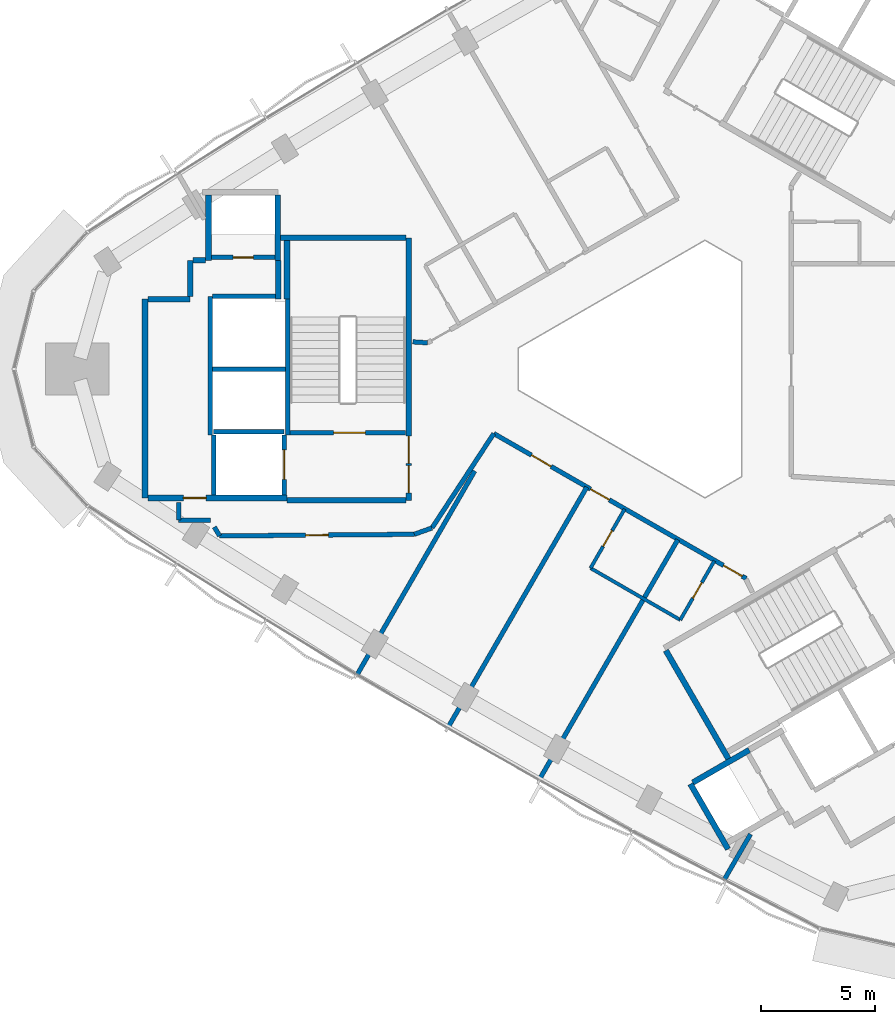
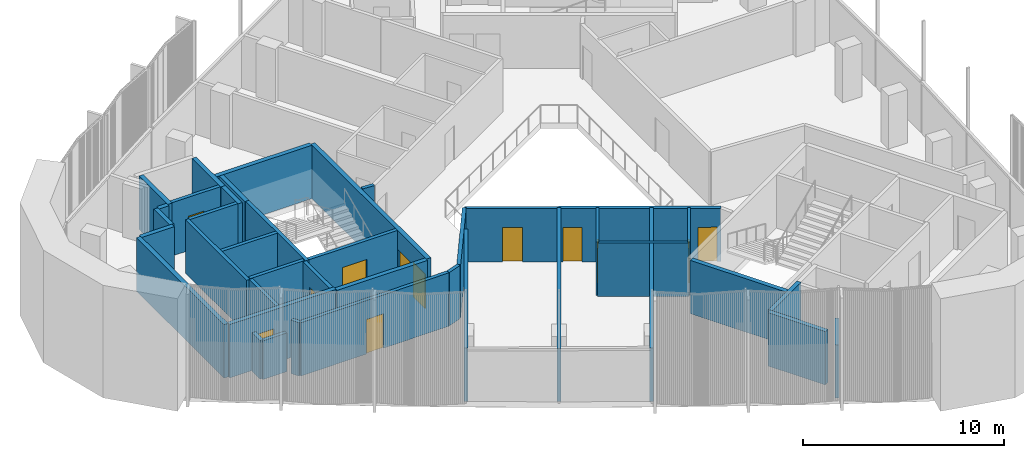
# One storey, part 8 of 14: 39 walls, 12 doors, 12 openings.
"""IFC4 building model written with IfcOpenShell, lengths in metres."""

from ifc_helpers import new_model, si_unit, direction, frame, frame_2d, origin, place, context, subcontext, project, spatial, rectangle, extrude, material, layer, layer_set, type_object, element, fill, save


model = new_model("IFC4")

# Units and contexts
model_context = context("Model", 3, precision=1e-05, world=origin(), true_north=direction((0.0, 1.0)))
body_context = subcontext(model_context, "Body", "Model", "MODEL_VIEW")
ifc_project = project(units=[si_unit("LENGTHUNIT", "METRE"), si_unit("AREAUNIT", "SQUARE_METRE"), si_unit("VOLUMEUNIT", "CUBIC_METRE"), si_unit("PLANEANGLEUNIT", "RADIAN"), si_unit("MASSUNIT", "GRAM", prefix="KILO")], contexts=[model_context])

# Site, building, storey
site_placement = place(None, origin())
site = spatial("IfcSite", under=ifc_project, at=site_placement, CompositionType="ELEMENT")
building_placement = place(site_placement, origin())
building = spatial("IfcBuilding", under=site, at=building_placement, Name="Tamra Quay Hotel Tower", CompositionType="ELEMENT")
storey_placement = place(building_placement, frame((0.0, 0.0, 221.39990234375)))
storey = spatial("IfcBuildingStorey", under=building, at=storey_placement, Name="L55", CompositionType="ELEMENT", Elevation=221.39990234375)

# Walls
ifc_material_1 = material(Name="Concrete M70", Category="concrete")
ifc_layer_1 = layer(ifc_material_1, 0.199951171875)
ifc_layer_set_1 = layer_set([ifc_layer_1], Name="Concrete M70 core wall 200")
wall_type_1 = type_object("IfcWallType", Name="Concrete M70 core wall 200", PredefinedType="SHEAR", material=ifc_layer_set_1)
wall_1_placement = place(storey_placement, frame((-16.162109375, 3.073974609375, 0.0), z_axis=(0.0, 0.0, 1.0), x_axis=(0.0, -1.0, 0.0)))
element("IfcWall", 1, at=wall_1_placement, inside=storey, type_object=wall_type_1, Name="CW2", PredefinedType="SHEAR", context=body_context, shape_type="SweptSolid", body=[
    extrude(rectangle(XDim=5.97412109375, YDim=0.199951171875, at=frame_2d((2.987060546875, 0.0))), origin(), (0.0, 0.0, 1.0), 3.25),
])
wall_2_placement = place(storey_placement, frame((-19.5625, -2.900146484375, 0.0), z_axis=(0.0, 0.0, 1.0), x_axis=(0.0, 1.0, 0.0)))
element("IfcWall", 2, at=wall_2_placement, inside=storey, type_object=wall_type_1, Name="CW2", PredefinedType="SHEAR", context=body_context, shape_type="SweptSolid", body=[
    extrude(rectangle(XDim=6.100341796875, YDim=0.199951171875, at=frame_2d((3.05029296875, 0.0))), origin(), (0.0, 0.0, 1.0), 3.25),
])

# Wall, opening, door
wall_3_placement = place(storey_placement, frame((-10.96337890625, -2.800048828125, 0.0), z_axis=(0.0, 0.0, 1.0), x_axis=(-1.0, 0.0, 0.0)))
wall_3 = element("IfcWall", 3, at=wall_3_placement, inside=storey, type_object=wall_type_1, Name="CW2", PredefinedType="SHEAR", context=body_context, shape_type="SweptSolid", body=[
    extrude(rectangle(XDim=5.097900390625, YDim=0.199951171875, at=frame_2d((2.548828125, 0.0))), origin(), (0.0, 0.0, 1.0), 3.25),
])
opening_1_placement = place(wall_3_placement, frame((1.77392578125, 0.0, 0.0)))
opening_1 = element("IfcOpeningElement", 4, at=opening_1_placement, cuts=wall_3, Name="Opening FD2", PredefinedType="OPENING", context=body_context, shape_type="SweptSolid", body=[
    extrude(rectangle(XDim=1.39990234375, YDim=2.10009765625, at=frame_2d((0.699951171875, 1.050048828125))), frame((0.0, 0.10986328125, 0.0), z_axis=(0.0, -1.0, 0.0), x_axis=(1.0, 0.0, 0.0)), (0.0, 0.0, 1.0), 0.219970703125),
])
ifc_material_2 = material(Name="Core door FD2 1400x2100 LH")
door_type_1 = type_object("IfcDoorType", Name="Core door FD2 1400x2100 LH", OperationType="NOTDEFINED", PredefinedType="DOOR", material=ifc_material_2)
door_1_placement = place(opening_1_placement, origin())
door_1 = element("IfcDoor", 5, at=door_1_placement, inside=storey, type_object=door_type_1, Name="FD2", OperationType="SINGLE_SWING_LEFT", OverallHeight=2.10009765625, OverallWidth=1.39990234375, PredefinedType="DOOR", context=body_context, shape_type="SweptSolid", body=[
    extrude(rectangle(XDim=1.39990234375, YDim=2.10009765625, at=frame_2d((0.699951171875, 1.050048828125))), frame((0.0, 0.02490234375, 0.0), z_axis=(0.0, -1.0, 0.0), x_axis=(1.0, 0.0, 0.0)), (0.0, 0.0, 1.0), 0.050048828125),
])
fill(opening_1, door_1)

# Wall
wall_4_placement = place(storey_placement, frame((-16.26318359375, 0.0, 0.0), z_axis=(0.0, 0.0, 1.0), x_axis=(-1.0, 0.0, 0.0)))
element("IfcWall", 6, at=wall_4_placement, inside=storey, type_object=wall_type_1, Name="CW2", PredefinedType="SHEAR", context=body_context, shape_type="SweptSolid", body=[
    extrude(rectangle(XDim=3.1982421875, YDim=0.199951171875, at=frame_2d((1.59912109375, 0.0))), origin(), (0.0, 0.0, 1.0), 3.25),
])

# Wall, opening, door
wall_5_placement = place(storey_placement, frame((-19.51123046875, 4.91015625, 0.0), z_axis=(0.0, 0.0, 1.0), x_axis=(1.0, 0.0, 0.0)))
wall_5 = element("IfcWall", 7, at=wall_5_placement, inside=storey, type_object=wall_type_1, Name="CW2", PredefinedType="SHEAR", context=body_context, shape_type="SweptSolid", body=[
    extrude(rectangle(XDim=2.7978515625, YDim=0.199951171875, at=frame_2d((1.39892578125, 0.0))), origin(), (0.0, 0.0, 1.0), 3.25),
])
opening_2_placement = place(wall_5_placement, frame((0.948974609375, 0.0, 0.0)))
opening_2 = element("IfcOpeningElement", 8, at=opening_2_placement, cuts=wall_5, Name="Opening D1", PredefinedType="OPENING", context=body_context, shape_type="SweptSolid", body=[
    extrude(rectangle(XDim=0.89990234375, YDim=2.10009765625, at=frame_2d((0.449951171875, 1.050048828125))), frame((0.0, 0.10986328125, 0.0), z_axis=(0.0, -1.0, 0.0), x_axis=(1.0, 0.0, 0.0)), (0.0, 0.0, 1.0), 0.219970703125),
])
ifc_material_3 = material(Name="Core door D1 900x2100 RH")
door_type_2 = type_object("IfcDoorType", Name="Core door D1 900x2100 RH", OperationType="NOTDEFINED", PredefinedType="DOOR", material=ifc_material_3)
door_2_placement = place(opening_2_placement, origin())
door_2 = element("IfcDoor", 9, at=door_2_placement, inside=storey, type_object=door_type_2, Name="D1", OperationType="SINGLE_SWING_RIGHT", OverallHeight=2.10009765625, OverallWidth=0.89990234375, PredefinedType="DOOR", context=body_context, shape_type="SweptSolid", body=[
    extrude(rectangle(XDim=0.89990234375, YDim=2.10009765625, at=frame_2d((0.449951171875, 1.050048828125))), frame((0.0, 0.02490234375, 0.0), z_axis=(0.0, -1.0, 0.0), x_axis=(1.0, 0.0, 0.0)), (0.0, 0.0, 1.0), 0.050048828125),
])
fill(opening_2, door_2)

# Walls
wall_6_placement = place(storey_placement, frame((-19.46240234375, 3.2001953125, 0.0), z_axis=(0.0, 0.0, 1.0), x_axis=(1.0, 0.0, 0.0)))
element("IfcWall", 10, at=wall_6_placement, inside=storey, type_object=wall_type_1, Name="CW2", PredefinedType="SHEAR", context=body_context, shape_type="SweptSolid", body=[
    extrude(rectangle(XDim=2.759033203125, YDim=0.199951171875, at=frame_2d((1.37939453125, 0.0))), origin(), (0.0, 0.0, 1.0), 3.25),
])
wall_7_placement = place(storey_placement, frame((-19.412353515625, -2.75, 0.0), z_axis=(0.0, 0.0, 1.0), x_axis=(1.0, 0.0, 0.0)))
element("IfcWall", 11, at=wall_7_placement, inside=storey, type_object=wall_type_1, Name="CW2", PredefinedType="SHEAR", context=body_context, shape_type="SweptSolid", body=[
    extrude(rectangle(XDim=3.10009765625, YDim=0.199951171875, at=frame_2d((1.550048828125, 0.0))), origin(), (0.0, 0.0, 1.0), 3.25),
])

# Wall, opening, door
wall_8_placement = place(storey_placement, frame((-16.312255859375, -2.898193359375, 0.0), z_axis=(0.0, 0.0, 1.0), x_axis=(0.0, -1.0, 0.0)))
wall_8 = element("IfcWall", 12, at=wall_8_placement, inside=storey, type_object=wall_type_1, Name="CW2", PredefinedType="SHEAR", context=body_context, shape_type="SweptSolid", body=[
    extrude(rectangle(XDim=2.65087890625, YDim=0.199951171875, at=frame_2d((1.325439453125, 0.0))), origin(), (0.0, 0.0, 1.0), 3.25),
])
opening_3_placement = place(wall_8_placement, frame((0.65185546875, 0.0, 0.0)))
opening_3 = element("IfcOpeningElement", 13, at=opening_3_placement, cuts=wall_8, Name="Opening LD", PredefinedType="OPENING", context=body_context, shape_type="SweptSolid", body=[
    extrude(rectangle(XDim=1.300048828125, YDim=2.10009765625, at=frame_2d((0.64990234375, 1.050048828125))), frame((0.0, 0.10986328125, 0.0), z_axis=(0.0, -1.0, 0.0), x_axis=(1.0, 0.0, 0.0)), (0.0, 0.0, 1.0), 0.219970703125),
])
ifc_material_4 = material(Name="Landing door LD 1300 sliding to left")
door_type_3 = type_object("IfcDoorType", Name="Landing door LD 1300 sliding to left", OperationType="NOTDEFINED", PredefinedType="DOOR", material=ifc_material_4)
door_3_placement = place(opening_3_placement, origin())
door_3 = element("IfcDoor", 14, at=door_3_placement, inside=storey, type_object=door_type_3, Name="LD", OperationType="SLIDING_TO_LEFT", OverallHeight=2.10009765625, OverallWidth=1.300048828125, PredefinedType="DOOR", context=body_context, shape_type="SweptSolid", body=[
    extrude(rectangle(XDim=1.300048828125, YDim=2.10009765625, at=frame_2d((0.64990234375, 1.050048828125))), frame((0.0, 0.02490234375, 0.0), z_axis=(0.0, -1.0, 0.0), x_axis=(1.0, 0.0, 0.0)), (0.0, 0.0, 1.0), 0.050048828125),
])
fill(opening_3, door_3)

# Wall
wall_9_placement = place(storey_placement, frame((-19.412353515625, -5.549072265625, 0.0), z_axis=(0.0, 0.0, 1.0), x_axis=(0.0, 1.0, 0.0)))
element("IfcWall", 15, at=wall_9_placement, inside=storey, type_object=wall_type_1, Name="CW2", PredefinedType="SHEAR", context=body_context, shape_type="SweptSolid", body=[
    extrude(rectangle(XDim=2.65087890625, YDim=0.199951171875, at=frame_2d((1.325439453125, 0.0))), origin(), (0.0, 0.0, 1.0), 3.25),
])

# Wall, openings, doors
ifc_layer_2 = layer(ifc_material_1, 0.25)
ifc_layer_set_2 = layer_set([ifc_layer_2], Name="Concrete M70 core wall 250")
wall_type_2 = type_object("IfcWallType", Name="Concrete M70 core wall 250", PredefinedType="SHEAR", material=ifc_layer_set_2)
wall_10_placement = place(storey_placement, frame((-10.83740234375, 5.77490234375, 0.0), z_axis=(0.0, 0.0, 1.0), x_axis=(0.0, -1.0, 0.0)))
wall_10 = element("IfcWall", 16, at=wall_10_placement, inside=storey, type_object=wall_type_2, Name="CW1", PredefinedType="SHEAR", context=body_context, shape_type="SweptSolid", body=[
    extrude(rectangle(XDim=11.5498046875, YDim=0.25, at=frame_2d((5.77490234375, 0.0))), origin(), (0.0, 0.0, 1.0), 3.25),
])
opening_4_placement = place(wall_10_placement, frame((10.02490234375, 0.0, 0.0)))
opening_4 = element("IfcOpeningElement", 17, at=opening_4_placement, cuts=wall_10, Name="Opening FD1", PredefinedType="OPENING", context=body_context, shape_type="SweptSolid", body=[
    extrude(rectangle(XDim=1.199951171875, YDim=2.10009765625, at=frame_2d((0.60009765625, 1.050048828125))), frame((0.0, 0.135009765625, 0.0), z_axis=(0.0, -1.0, 0.0), x_axis=(1.0, 0.0, 0.0)), (0.0, 0.0, 1.0), 0.27001953125),
])
opening_5_placement = place(wall_10_placement, frame((8.72509765625, 0.0, 0.0)))
opening_5 = element("IfcOpeningElement", 18, at=opening_5_placement, cuts=wall_10, Name="Opening FD1", PredefinedType="OPENING", context=body_context, shape_type="SweptSolid", body=[
    extrude(rectangle(XDim=1.199951171875, YDim=2.10009765625, at=frame_2d((0.60009765625, 1.050048828125))), frame((0.0, 0.135009765625, 0.0), z_axis=(0.0, -1.0, 0.0), x_axis=(1.0, 0.0, 0.0)), (0.0, 0.0, 1.0), 0.27001953125),
])
ifc_material_5 = material(Name="Core door FD1 1200x2100 LH")
door_type_4 = type_object("IfcDoorType", Name="Core door FD1 1200x2100 LH", OperationType="NOTDEFINED", PredefinedType="DOOR", material=ifc_material_5)
door_4_placement = place(opening_4_placement, origin())
door_4 = element("IfcDoor", 19, at=door_4_placement, inside=storey, type_object=door_type_4, Name="FD1", OperationType="SINGLE_SWING_LEFT", OverallHeight=2.10009765625, OverallWidth=1.199951171875, PredefinedType="DOOR", context=body_context, shape_type="SweptSolid", body=[
    extrude(rectangle(XDim=1.199951171875, YDim=2.10009765625, at=frame_2d((0.60009765625, 1.050048828125))), frame((0.0, 0.02490234375, 0.0), z_axis=(0.0, -1.0, 0.0), x_axis=(1.0, 0.0, 0.0)), (0.0, 0.0, 1.0), 0.050048828125),
])
fill(opening_4, door_4)
ifc_material_6 = material(Name="Core door FD1 1200x2100 RH")
door_type_5 = type_object("IfcDoorType", Name="Core door FD1 1200x2100 RH", OperationType="NOTDEFINED", PredefinedType="DOOR", material=ifc_material_6)
door_5_placement = place(opening_5_placement, origin())
door_5 = element("IfcDoor", 20, at=door_5_placement, inside=storey, type_object=door_type_5, Name="FD1", OperationType="SINGLE_SWING_RIGHT", OverallHeight=2.10009765625, OverallWidth=1.199951171875, PredefinedType="DOOR", context=body_context, shape_type="SweptSolid", body=[
    extrude(rectangle(XDim=1.199951171875, YDim=2.10009765625, at=frame_2d((0.60009765625, 1.050048828125))), frame((0.0, 0.02490234375, 0.0), z_axis=(0.0, -1.0, 0.0), x_axis=(1.0, 0.0, 0.0)), (0.0, 0.0, 1.0), 0.050048828125),
])
fill(opening_5, door_5)

# Wall
wall_11_placement = place(storey_placement, frame((-22.437255859375, -5.675048828125, 0.0), z_axis=(0.0, 0.0, 1.0), x_axis=(0.0, 1.0, 0.0)))
element("IfcWall", 21, at=wall_11_placement, inside=storey, type_object=wall_type_2, Name="CW1", PredefinedType="SHEAR", context=body_context, shape_type="SweptSolid", body=[
    extrude(rectangle(XDim=8.75, YDim=0.25, at=frame_2d((4.375, 0.0))), origin(), (0.0, 0.0, 1.0), 3.25),
])

# Wall, opening, door
wall_12_placement = place(storey_placement, frame((-16.187255859375, -5.675048828125, 0.0), z_axis=(0.0, 0.0, 1.0), x_axis=(-1.0, 0.0, 0.0)))
wall_12 = element("IfcWall", 22, at=wall_12_placement, inside=storey, type_object=wall_type_2, Name="CW1", PredefinedType="SHEAR", context=body_context, shape_type="SweptSolid", body=[
    extrude(rectangle(XDim=6.12451171875, YDim=0.25, at=frame_2d((3.062255859375, 0.0))), origin(), (0.0, 0.0, 1.0), 3.25),
])
opening_6_placement = place(wall_12_placement, frame((3.562744140625, 0.0, 0.0)))
opening_6 = element("IfcOpeningElement", 23, at=opening_6_placement, cuts=wall_12, Name="Opening FD3", PredefinedType="OPENING", context=body_context, shape_type="SweptSolid", body=[
    extrude(rectangle(XDim=1.0, YDim=2.10009765625, at=frame_2d((0.5, 1.050048828125))), frame((0.0, 0.135009765625, 0.0), z_axis=(0.0, -1.0, 0.0), x_axis=(1.0, 0.0, 0.0)), (0.0, 0.0, 1.0), 0.27001953125),
])
ifc_material_7 = material(Name="Core door FD3 1000x2100 LH")
door_type_6 = type_object("IfcDoorType", Name="Core door FD3 1000x2100 LH", OperationType="NOTDEFINED", PredefinedType="DOOR", material=ifc_material_7)
door_6_placement = place(opening_6_placement, origin())
door_6 = element("IfcDoor", 24, at=door_6_placement, inside=storey, type_object=door_type_6, Name="FD3", OperationType="SINGLE_SWING_LEFT", OverallHeight=2.10009765625, OverallWidth=1.0, PredefinedType="DOOR", context=body_context, shape_type="SweptSolid", body=[
    extrude(rectangle(XDim=1.0, YDim=2.10009765625, at=frame_2d((0.5, 1.050048828125))), frame((0.0, 0.02490234375, 0.0), z_axis=(0.0, -1.0, 0.0), x_axis=(1.0, 0.0, 0.0)), (0.0, 0.0, 1.0), 0.050048828125),
])
fill(opening_6, door_6)

# Walls
wall_13_placement = place(storey_placement, frame((-10.962646484375, -5.77490234375, 0.0), z_axis=(0.0, 0.0, 1.0), x_axis=(-1.0, 0.0, 0.0)))
element("IfcWall", 25, at=wall_13_placement, inside=storey, type_object=wall_type_2, Name="CW1", PredefinedType="SHEAR", context=body_context, shape_type="SweptSolid", body=[
    extrude(rectangle(XDim=5.224609375, YDim=0.25, at=frame_2d((2.6123046875, 0.0))), origin(), (0.0, 0.0, 1.0), 3.25),
])
wall_14_placement = place(storey_placement, frame((-16.47216796875, 5.77490234375, 0.0), z_axis=(0.0, 0.0, 1.0), x_axis=(1.0, 0.0, 0.0)))
element("IfcWall", 26, at=wall_14_placement, inside=storey, type_object=wall_type_2, Name="CW1", PredefinedType="SHEAR", context=body_context, shape_type="SweptSolid", body=[
    extrude(rectangle(XDim=5.509521484375, YDim=0.25, at=frame_2d((2.7548828125, 0.0))), origin(), (0.0, 0.0, 1.0), 3.25),
])
for number, where, z_axis, x_axis, name in (
    (27, (-16.58740234375, 7.649658203125, 0.0), (0.0, 0.0, 1.0), (0.0, -1.0, 0.0), "CW1"),
    (28, (-19.63720703125, 4.784912109375, 0.0), (0.0, 0.0, 1.0), (0.0, 1.0, 0.0), "CW1"),
):
    element("IfcWall", number, at=place(storey_placement, frame(where, z_axis=z_axis, x_axis=x_axis)), inside=storey, type_object=wall_type_2, Name=name, PredefinedType="SHEAR", context=body_context, shape_type="SweptSolid", body=[
        extrude(rectangle(XDim=2.86474609375, YDim=0.25, at=frame_2d((1.432373046875, 0.0))), origin(), (0.0, 0.0, 1.0), 3.25),
    ])
wall_15_placement = place(storey_placement, frame((-16.187255859375, 3.074951171875, 0.0), z_axis=(0.0, 0.0, 1.0), x_axis=(0.0, 1.0, 0.0)))
element("IfcWall", 29, at=wall_15_placement, inside=storey, type_object=wall_type_2, Name="CW1", PredefinedType="SHEAR", context=body_context, shape_type="SweptSolid", body=[
    extrude(rectangle(XDim=2.57470703125, YDim=0.25, at=frame_2d((1.287353515625, 0.0))), origin(), (0.0, 0.0, 1.0), 3.25),
])
wall_16_placement = place(storey_placement, frame((-22.311767578125, 3.074951171875, 0.0), z_axis=(0.0, 0.0, 1.0), x_axis=(1.0, 0.0, 0.0)))
element("IfcWall", 30, at=wall_16_placement, inside=storey, type_object=wall_type_2, Name="CW1", PredefinedType="SHEAR", context=body_context, shape_type="SweptSolid", body=[
    extrude(rectangle(XDim=1.864501953125, YDim=0.25, at=frame_2d((0.93212890625, 0.0))), origin(), (0.0, 0.0, 1.0), 3.25),
])
wall_17_placement = place(storey_placement, frame((-16.577392578125, 4.784912109375, 0.0), z_axis=(0.0, 0.0, 1.0), x_axis=(0.0, -1.0, 0.0)))
element("IfcWall", 31, at=wall_17_placement, inside=storey, type_object=wall_type_2, Name="CW1", PredefinedType="SHEAR", context=body_context, shape_type="SweptSolid", body=[
    extrude(rectangle(XDim=1.7099609375, YDim=0.25, at=frame_2d((0.85498046875, 0.0))), origin(), (0.0, 0.0, 1.0), 3.25),
])
wall_18_placement = place(storey_placement, frame((-20.447265625, 3.200439453125, 0.0), z_axis=(0.0, 0.0, 1.0), x_axis=(0.0, 1.0, 0.0)))
element("IfcWall", 32, at=wall_18_placement, inside=storey, type_object=wall_type_2, Name="CW1", PredefinedType="SHEAR", context=body_context, shape_type="SweptSolid", body=[
    extrude(rectangle(XDim=1.58447265625, YDim=0.25, at=frame_2d((0.792236328125, 0.0))), origin(), (0.0, 0.0, 1.0), 3.25),
])
wall_19_placement = place(storey_placement, frame((-20.32177734375, 4.784912109375, 0.0), z_axis=(0.0, 0.0, 1.0), x_axis=(1.0, 0.0, 0.0)))
element("IfcWall", 33, at=wall_19_placement, inside=storey, type_object=wall_type_2, Name="CW1", PredefinedType="SHEAR", context=body_context, shape_type="SweptSolid", body=[
    extrude(rectangle(XDim=0.55908203125, YDim=0.25, at=frame_2d((0.279541015625, 0.0))), origin(), (0.0, 0.0, 1.0), 3.25),
])
wall_20_placement = place(storey_placement, frame((3.23486328125, -17.15283203125, 0.0), z_axis=(0.0, 0.0, 1.0), x_axis=(-0.500008851346, 0.866020293397, 0.0)))
element("IfcWall", 34, at=wall_20_placement, inside=storey, type_object=wall_type_2, Name="CW1", PredefinedType="SHEAR", context=body_context, shape_type="SweptSolid", body=[
    extrude(rectangle(XDim=5.509765625, YDim=0.25, at=frame_2d((2.7548828125, 0.0))), origin(), (0.0, 0.0, 1.0), 3.25),
])
wall_21_placement = place(storey_placement, frame((3.216796875, -21.12158203125, 0.0), z_axis=(0.0, 0.0, 1.0), x_axis=(-0.499998874531, 0.866026053573, 0.0)))
element("IfcWall", 35, at=wall_21_placement, inside=storey, type_object=wall_type_2, Name="CW1", PredefinedType="SHEAR", context=body_context, shape_type="SweptSolid", body=[
    extrude(rectangle(XDim=3.31298828125, YDim=0.25, at=frame_2d((1.656494140625, 0.0))), origin(), (0.0, 0.0, 1.0), 3.25),
])
wall_22_placement = place(storey_placement, frame((1.6689453125, -18.189697265625, 0.0), z_axis=(0.0, 0.0, 1.0), x_axis=(0.866042235819, 0.499970844928, 0.0)))
element("IfcWall", 36, at=wall_22_placement, inside=storey, type_object=wall_type_2, Name="CW1", PredefinedType="SHEAR", context=body_context, shape_type="SweptSolid", body=[
    extrude(rectangle(XDim=2.864501953125, YDim=0.25, at=frame_2d((1.43212890625, 0.0))), origin(), (0.0, 0.0, 1.0), 3.25),
])
ifc_material_8 = material(Name="Partition corridor wall")
ifc_layer_3 = layer(ifc_material_8, 0.199951171875)
ifc_layer_set_3 = layer_set([ifc_layer_3], Name="Partition corridor wall")
wall_type_3 = type_object("IfcWallType", Name="Partition corridor wall", PredefinedType="PARTITIONING", material=ifc_layer_set_3)
wall_23_placement = place(storey_placement, frame((-20.949951171875, -6.64990234375, 0.0), z_axis=(0.0, 0.0, 1.0), x_axis=(0.0, 1.0, 0.0)))
element("IfcWall", 37, at=wall_23_placement, inside=storey, type_object=wall_type_3, Name="W-C", PredefinedType="PARTITIONING", context=body_context, shape_type="SweptSolid", body=[
    extrude(rectangle(XDim=0.789794921875, YDim=0.199951171875, at=frame_2d((0.39501953125, 0.0))), origin(), (0.0, 0.0, 1.0), 2.35009765625),
])
wall_24_placement = place(storey_placement, frame((-20.949951171875, -6.64990234375, 0.0), z_axis=(0.0, 0.0, 1.0), x_axis=(1.0, 0.0, 0.0)))
element("IfcWall", 38, at=wall_24_placement, inside=storey, type_object=wall_type_3, Name="W-C", PredefinedType="PARTITIONING", context=body_context, shape_type="SweptSolid", body=[
    extrude(rectangle(XDim=1.386962890625, YDim=0.199951171875, at=frame_2d((0.693359375, 0.0))), origin(), (0.0, 0.0, 1.0), 2.35009765625),
])
wall_25_placement = place(storey_placement, frame((-19.14990234375, -7.339111328125, 0.0), z_axis=(0.0, 0.0, 1.0), x_axis=(-0.513941661048, 0.857825138964, 0.0)))
element("IfcWall", 39, at=wall_25_placement, inside=storey, type_object=wall_type_3, Name="W-C", PredefinedType="PARTITIONING", context=body_context, shape_type="SweptSolid", body=[
    extrude(rectangle(XDim=0.45361328125, YDim=0.199951171875, at=frame_2d((0.226806640625, 0.0))), origin(), (0.0, 0.0, 1.0), 3.25),
])

# Wall, opening, door
wall_26_placement = place(storey_placement, frame((-19.14990234375, -7.341064453125, 0.0), z_axis=(0.0, 0.0, 1.0), x_axis=(0.999964623126, 0.008411450351, 0.0)))
wall_26 = element("IfcWall", 40, at=wall_26_placement, inside=storey, type_object=wall_type_3, Name="W-C", PredefinedType="PARTITIONING", context=body_context, shape_type="SweptSolid", body=[
    extrude(rectangle(XDim=8.562255859375, YDim=0.199951171875, at=frame_2d((4.28125, 0.0))), origin(), (0.0, 0.0, 1.0), 3.25),
])
opening_7_placement = place(wall_26_placement, frame((3.78125, 0.0, 0.0)))
opening_7 = element("IfcOpeningElement", 41, at=opening_7_placement, cuts=wall_26, Name="Opening L55-D009", PredefinedType="OPENING", context=body_context, shape_type="SweptSolid", body=[
    extrude(rectangle(XDim=1.0, YDim=2.10009765625, at=frame_2d((0.5, 1.050048828125))), frame((0.0, 0.10986328125, 0.0), z_axis=(0.0, -1.0, 0.0), x_axis=(1.0, 0.0, 0.0)), (0.0, 0.0, 1.0), 0.219970703125),
])
ifc_material_9 = material(Name="Door guest room 1000x2100")
door_type_7 = type_object("IfcDoorType", Name="Door guest room 1000x2100", OperationType="NOTDEFINED", PredefinedType="DOOR", material=ifc_material_9)
door_7_placement = place(opening_7_placement, origin())
door_7 = element("IfcDoor", 42, at=door_7_placement, inside=storey, type_object=door_type_7, Name="L55-D009", OperationType="SINGLE_SWING_LEFT", OverallHeight=2.10009765625, OverallWidth=1.0, PredefinedType="DOOR", context=body_context, shape_type="SweptSolid", body=[
    extrude(rectangle(XDim=1.0, YDim=2.10009765625, at=frame_2d((0.5, 1.050048828125))), frame((0.0, 0.02490234375, 0.0), z_axis=(0.0, -1.0, 0.0), x_axis=(1.0, 0.0, 0.0)), (0.0, 0.0, 1.0), 0.050048828125),
])
fill(opening_7, door_7)

# Walls
wall_27_placement = place(storey_placement, frame((-10.65234375, 1.1962890625, 0.0), z_axis=(0.0, 0.0, 1.0), x_axis=(0.998005794618, -0.063122372489, 0.0)))
element("IfcWall", 43, at=wall_27_placement, inside=storey, type_object=wall_type_3, Name="W-C", PredefinedType="PARTITIONING", context=body_context, shape_type="SweptSolid", body=[
    extrude(rectangle(XDim=0.653564453125, YDim=0.199951171875, at=frame_2d((0.32666015625, 0.0))), origin(), (0.0, 0.0, 1.0), 3.25),
])
wall_28_placement = place(storey_placement, frame((-10.587890625, -7.26904296875, 0.0), z_axis=(0.0, 0.0, 1.0), x_axis=(0.941741911595, 0.336336396998, 0.0)))
element("IfcWall", 44, at=wall_28_placement, inside=storey, type_object=wall_type_3, Name="W-C", PredefinedType="PARTITIONING", context=body_context, shape_type="SweptSolid", body=[
    extrude(rectangle(XDim=0.823974609375, YDim=0.199951171875, at=frame_2d((0.412109375, 0.0))), origin(), (0.0, 0.0, 1.0), 3.25),
])
wall_29_placement = place(storey_placement, frame((-9.80810546875, -6.989013671875, 0.0), z_axis=(0.0, 0.0, 1.0), x_axis=(0.547746188785, 0.836644555753, 0.0)))
element("IfcWall", 45, at=wall_29_placement, inside=storey, type_object=wall_type_3, Name="W-C", PredefinedType="PARTITIONING", context=body_context, shape_type="SweptSolid", body=[
    extrude(rectangle(XDim=4.9638671875, YDim=0.199951171875, at=frame_2d((2.48193359375, 0.0))), origin(), (0.0, 0.0, 1.0), 3.25),
])

# Wall, openings, doors
wall_30_placement = place(storey_placement, frame((-7.089111328125, -2.8359375, 0.0), z_axis=(0.0, 0.0, 1.0), x_axis=(0.867106243364, -0.498123240493, 0.0)))
wall_30 = element("IfcWall", 46, at=wall_30_placement, inside=storey, type_object=wall_type_3, Name="W-C", PredefinedType="PARTITIONING", context=body_context, shape_type="SweptSolid", body=[
    extrude(rectangle(XDim=12.804443359375, YDim=0.199951171875, at=frame_2d((6.40234375, 0.0))), origin(), (0.0, 0.0, 1.0), 3.25),
])
opening_8_placement = place(wall_30_placement, frame((1.9091796875, 0.0, 0.0)))
opening_8 = element("IfcOpeningElement", 47, at=opening_8_placement, cuts=wall_30, Name="Opening L55-D010", PredefinedType="OPENING", context=body_context, shape_type="SweptSolid", body=[
    extrude(rectangle(XDim=1.0, YDim=2.10009765625, at=frame_2d((0.5, 1.050048828125))), frame((0.0, 0.10986328125, 0.0), z_axis=(0.0, -1.0, 0.0), x_axis=(1.0, 0.0, 0.0)), (0.0, 0.0, 1.0), 0.219970703125),
])
opening_9_placement = place(wall_30_placement, frame((4.909912109375, 0.0, 0.0)))
opening_9 = element("IfcOpeningElement", 48, at=opening_9_placement, cuts=wall_30, Name="Opening L55-D011", PredefinedType="OPENING", context=body_context, shape_type="SweptSolid", body=[
    extrude(rectangle(XDim=0.949951171875, YDim=2.10009765625, at=frame_2d((0.47509765625, 1.050048828125))), frame((0.0, 0.10986328125, 0.0), z_axis=(0.0, -1.0, 0.0), x_axis=(1.0, 0.0, 0.0)), (0.0, 0.0, 1.0), 0.219970703125),
])
opening_10_placement = place(wall_30_placement, frame((11.654296875, 0.0, 0.0)))
opening_10 = element("IfcOpeningElement", 49, at=opening_10_placement, cuts=wall_30, Name="Opening L55-D013", PredefinedType="OPENING", context=body_context, shape_type="SweptSolid", body=[
    extrude(rectangle(XDim=0.949951171875, YDim=2.10009765625, at=frame_2d((0.47509765625, 1.050048828125))), frame((0.0, 0.10986328125, 0.0), z_axis=(0.0, -1.0, 0.0), x_axis=(1.0, 0.0, 0.0)), (0.0, 0.0, 1.0), 0.219970703125),
])
door_8_placement = place(opening_8_placement, frame((1.0, 0.0, 0.0), z_axis=(0.0, 0.0, 1.0), x_axis=(-1.0, 0.0, 0.0)))
door_8 = element("IfcDoor", 50, at=door_8_placement, inside=storey, type_object=door_type_7, Name="L55-D010", OperationType="SINGLE_SWING_LEFT", OverallHeight=2.10009765625, OverallWidth=1.0, PredefinedType="DOOR", context=body_context, shape_type="SweptSolid", body=[
    extrude(rectangle(XDim=1.0, YDim=2.10009765625, at=frame_2d((0.5, 1.050048828125))), frame((0.0, 0.02490234375, 0.0), z_axis=(0.0, -1.0, 0.0), x_axis=(1.0, 0.0, 0.0)), (0.0, 0.0, 1.0), 0.050048828125),
])
fill(opening_8, door_8)
ifc_material_10 = material(Name="Door guest room 950x2100")
door_type_8 = type_object("IfcDoorType", Name="Door guest room 950x2100", OperationType="NOTDEFINED", PredefinedType="DOOR", material=ifc_material_10)
door_9_placement = place(opening_9_placement, frame((0.949951171875, 0.0, 0.0), z_axis=(0.0, 0.0, 1.0), x_axis=(-1.0, 0.0, 0.0)))
door_9 = element("IfcDoor", 51, at=door_9_placement, inside=storey, type_object=door_type_8, Name="L55-D011", OperationType="SINGLE_SWING_LEFT", OverallHeight=2.10009765625, OverallWidth=0.949951171875, PredefinedType="DOOR", context=body_context, shape_type="SweptSolid", body=[
    extrude(rectangle(XDim=0.949951171875, YDim=2.10009765625, at=frame_2d((0.47509765625, 1.050048828125))), frame((0.0, 0.02490234375, 0.0), z_axis=(0.0, -1.0, 0.0), x_axis=(1.0, 0.0, 0.0)), (0.0, 0.0, 1.0), 0.050048828125),
])
fill(opening_9, door_9)
door_10_placement = place(opening_10_placement, frame((0.949951171875, 0.0, 0.0), z_axis=(0.0, 0.0, 1.0), x_axis=(-1.0, 0.0, 0.0)))
door_10 = element("IfcDoor", 52, at=door_10_placement, inside=storey, type_object=door_type_8, Name="L55-D013", OperationType="SINGLE_SWING_LEFT", OverallHeight=2.10009765625, OverallWidth=0.949951171875, PredefinedType="DOOR", context=body_context, shape_type="SweptSolid", body=[
    extrude(rectangle(XDim=0.949951171875, YDim=2.10009765625, at=frame_2d((0.47509765625, 1.050048828125))), frame((0.0, 0.02490234375, 0.0), z_axis=(0.0, -1.0, 0.0), x_axis=(1.0, 0.0, 0.0)), (0.0, 0.0, 1.0), 0.050048828125),
])
fill(opening_10, door_10)

# Wall, opening, door
ifc_material_11 = material(Name="Partition en-suite wall")
ifc_layer_4 = layer(ifc_material_11, 0.14990234375)
ifc_layer_set_4 = layer_set([ifc_layer_4], Name="Partition en-suite wall")
wall_type_4 = type_object("IfcWallType", Name="Partition en-suite wall", PredefinedType="PARTITIONING", material=ifc_layer_set_4)
wall_31_placement = place(storey_placement, frame((-2.8330078125, -8.757080078125, 0.0), z_axis=(0.0, 0.0, 1.0), x_axis=(0.499990139034, 0.866031096941, 0.0)))
wall_31 = element("IfcWall", 53, at=wall_31_placement, inside=storey, type_object=wall_type_4, Name="W-E", PredefinedType="PARTITIONING", context=body_context, shape_type="SweptSolid", body=[
    extrude(rectangle(XDim=3.0, YDim=0.14990234375, at=frame_2d((1.5, 0.0))), origin(), (0.0, 0.0, 1.0), 3.25),
])
opening_11_placement = place(wall_31_placement, frame((1.10009765625, 0.0, 0.0)))
opening_11 = element("IfcOpeningElement", 54, at=opening_11_placement, cuts=wall_31, Name="Opening L55-D012", PredefinedType="OPENING", context=body_context, shape_type="SweptSolid", body=[
    extrude(rectangle(XDim=0.800048828125, YDim=2.10009765625, at=frame_2d((0.39990234375, 1.050048828125))), frame((0.0, 0.0849609375, 0.0), z_axis=(0.0, -1.0, 0.0), x_axis=(1.0, 0.0, 0.0)), (0.0, 0.0, 1.0), 0.169921875),
])
ifc_material_12 = material(Name="Door en-suite 800x2100")
door_type_9 = type_object("IfcDoorType", Name="Door en-suite 800x2100", OperationType="NOTDEFINED", PredefinedType="DOOR", material=ifc_material_12)
door_11_placement = place(opening_11_placement, frame((0.800048828125, 0.0, 0.0), z_axis=(0.0, 0.0, 1.0), x_axis=(-1.0, 0.0, 0.0)))
door_11 = element("IfcDoor", 55, at=door_11_placement, inside=storey, type_object=door_type_9, Name="L55-D012", OperationType="SINGLE_SWING_LEFT", OverallHeight=2.10009765625, OverallWidth=0.800048828125, PredefinedType="DOOR", context=body_context, shape_type="SweptSolid", body=[
    extrude(rectangle(XDim=0.800048828125, YDim=2.10009765625, at=frame_2d((0.39990234375, 1.050048828125))), frame((0.0, 0.02490234375, 0.0), z_axis=(0.0, -1.0, 0.0), x_axis=(1.0, 0.0, 0.0)), (0.0, 0.0, 1.0), 0.050048828125),
])
fill(opening_11, door_11)

# Wall
wall_32_placement = place(storey_placement, frame((-2.8330078125, -8.757080078125, 0.0), z_axis=(0.0, 0.0, 1.0), x_axis=(0.866002713795, -0.500039298155, 0.0)))
element("IfcWall", 56, at=wall_32_placement, inside=storey, type_object=wall_type_4, Name="W-E", PredefinedType="PARTITIONING", context=body_context, shape_type="SweptSolid", body=[
    extrude(rectangle(XDim=4.557861328125, YDim=0.14990234375, at=frame_2d((2.27880859375, 0.0))), origin(), (0.0, 0.0, 1.0), 3.25),
])

# Wall, opening, door
wall_33_placement = place(storey_placement, frame((1.114013671875, -11.035888671875, 0.0), z_axis=(0.0, 0.0, 1.0), x_axis=(0.50002537861, 0.866010750942, 0.0)))
wall_33 = element("IfcWall", 57, at=wall_33_placement, inside=storey, type_object=wall_type_4, Name="W-E", PredefinedType="PARTITIONING", context=body_context, shape_type="SweptSolid", body=[
    extrude(rectangle(XDim=2.999755859375, YDim=0.14990234375, at=frame_2d((1.5, 0.0))), origin(), (0.0, 0.0, 1.0), 3.25),
])
opening_12_placement = place(wall_33_placement, frame((1.10009765625, 0.0, 0.0)))
opening_12 = element("IfcOpeningElement", 58, at=opening_12_placement, cuts=wall_33, Name="Opening L55-D014", PredefinedType="OPENING", context=body_context, shape_type="SweptSolid", body=[
    extrude(rectangle(XDim=0.800048828125, YDim=2.10009765625, at=frame_2d((0.39990234375, 1.050048828125))), frame((0.0, 0.0849609375, 0.0), z_axis=(0.0, -1.0, 0.0), x_axis=(1.0, 0.0, 0.0)), (0.0, 0.0, 1.0), 0.169921875),
])
door_12_placement = place(opening_12_placement, origin())
door_12 = element("IfcDoor", 59, at=door_12_placement, inside=storey, type_object=door_type_9, Name="L55-D014", OperationType="SINGLE_SWING_LEFT", OverallHeight=2.10009765625, OverallWidth=0.800048828125, PredefinedType="DOOR", context=body_context, shape_type="SweptSolid", body=[
    extrude(rectangle(XDim=0.800048828125, YDim=2.10009765625, at=frame_2d((0.39990234375, 1.050048828125))), frame((0.0, 0.02490234375, 0.0), z_axis=(0.0, -1.0, 0.0), x_axis=(1.0, 0.0, 0.0)), (0.0, 0.0, 1.0), 0.050048828125),
])
fill(opening_12, door_12)

# Walls
ifc_material_13 = material(Name="Partition party wall")
ifc_layer_5 = layer(ifc_material_13, 0.199951171875)
ifc_layer_set_5 = layer_set([ifc_layer_5], Name="Partition party wall")
wall_type_5 = type_object("IfcWallType", Name="Partition party wall", PredefinedType="PARTITIONING", material=ifc_layer_set_5)
wall_34_placement = place(storey_placement, frame((-13.107421875, -13.452880859375, 0.0), z_axis=(0.0, 0.0, 1.0), x_axis=(0.500020349827, 0.866013654488, 0.0)))
element("IfcWall", 60, at=wall_34_placement, inside=storey, type_object=wall_type_5, Name="W-P", PredefinedType="PARTITIONING", context=body_context, shape_type="SweptSolid", body=[
    extrude(rectangle(XDim=10.357421875, YDim=0.199951171875, at=frame_2d((5.1787109375, 0.0))), origin(), (0.0, 0.0, 1.0), 3.25),
])
wall_35_placement = place(storey_placement, frame((-9.119384765625, -15.794677734375, 0.0), z_axis=(0.0, 0.0, 1.0), x_axis=(0.50001601051, 0.866016159915, 0.0)))
element("IfcWall", 61, at=wall_35_placement, inside=storey, type_object=wall_type_5, Name="W-P", PredefinedType="PARTITIONING", context=body_context, shape_type="SweptSolid", body=[
    extrude(rectangle(XDim=12.23828125, YDim=0.199951171875, at=frame_2d((6.119140625, 0.0))), origin(), (0.0, 0.0, 1.0), 3.25),
])
wall_36_placement = place(storey_placement, frame((-5.0966796875, -18.078125, 0.0), z_axis=(0.0, 0.0, 1.0), x_axis=(0.499960272111, 0.866048339477, 0.0)))
element("IfcWall", 62, at=wall_36_placement, inside=storey, type_object=wall_type_5, Name="W-P", PredefinedType="PARTITIONING", context=body_context, shape_type="SweptSolid", body=[
    extrude(rectangle(XDim=12.2041015625, YDim=0.199951171875, at=frame_2d((6.10205078125, 0.0))), origin(), (0.0, 0.0, 1.0), 3.25),
])
wall_37_placement = place(storey_placement, frame((3.046630859375, -22.466552734375, 0.0), z_axis=(0.0, 0.0, 1.0), x_axis=(0.50001757531, 0.866015256437, 0.0)))
element("IfcWall", 63, at=wall_37_placement, inside=storey, type_object=wall_type_5, Name="W-P", PredefinedType="PARTITIONING", context=body_context, shape_type="SweptSolid", body=[
    extrude(rectangle(XDim=2.3154296875, YDim=0.199951171875, at=frame_2d((1.15771484375, 0.0))), origin(), (0.0, 0.0, 1.0), 3.25),
])

save(model, "model.ifc")
